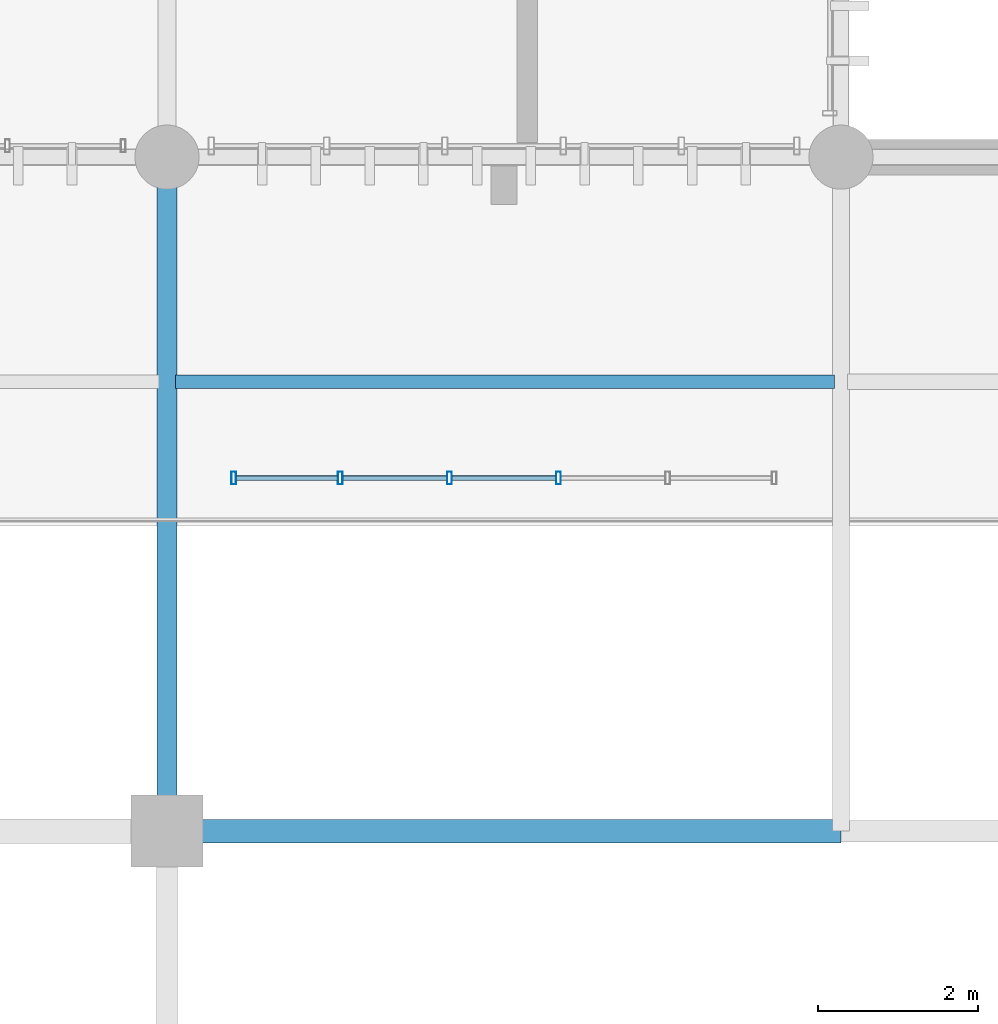
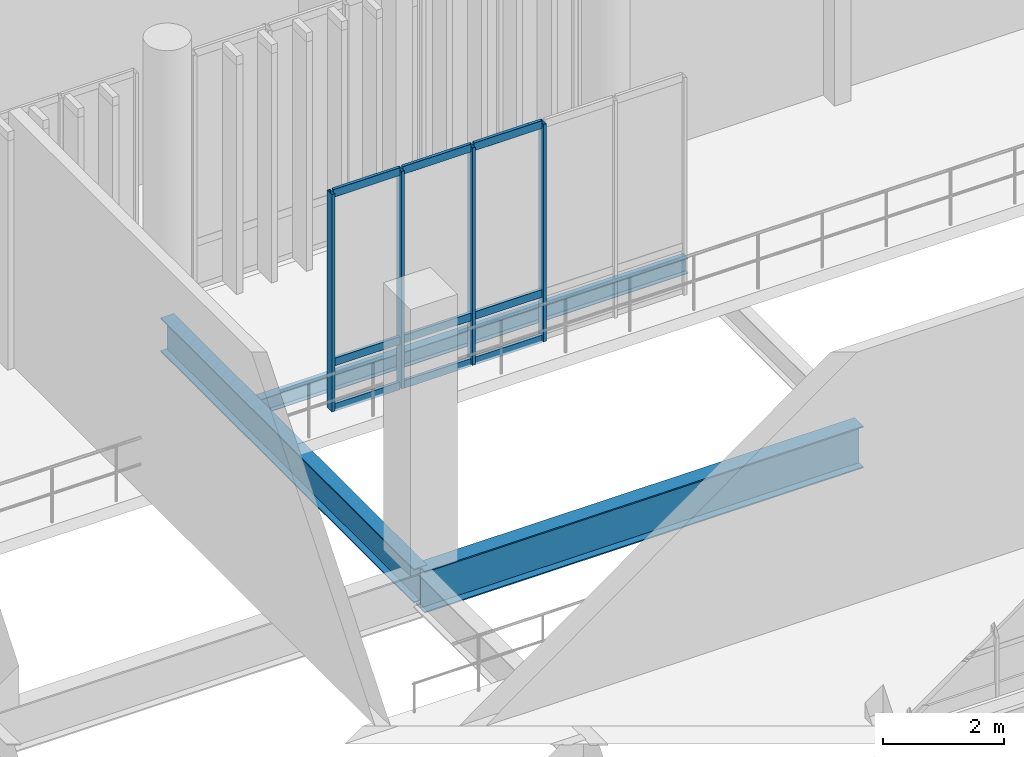
# One storey, part 52 of 128: 13 members, 3 beams, 1 element without a shape of its own.
"""IFC4 building model written with IfcOpenShell, lengths in metres."""

import ifcopenshell
import ifcopenshell.guid

model = None  # the IFC model being written
_history = None  # IfcOwnerHistory: only IFC2X3 demands one
_inside = {}  # id of a spatial element -> (the spatial element, [elements in it])
_under = {}  # id of a project, library or spatial element -> (it, [spatial elements below it])
_declared = {}  # id of a project -> (the project, [libraries it declares])
_typed = {}  # id of a type object -> (the type object, [elements of that type])
_made_of = {}  # id of a material, layer set ... -> (it, [elements and type objects made of it])


def new_model(schema):
    """Start an empty IFC model of exactly this schema.

    Asked for "IFC4X3", IfcOpenShell would pick the latest addendum, in which some entities
    have other attributes; the version numbers below select the first issue.
    IFC2X3 requires an IfcOwnerHistory on every rooted entity: one is made here for all.
    """
    global model, _history
    if schema == "IFC4X3":
        model = ifcopenshell.file(schema_version=(4, 3, 0, 0))
    else:
        model = ifcopenshell.file(schema=schema)
    _inside.clear()
    _under.clear()
    _declared.clear()
    _typed.clear()
    _made_of.clear()
    _history = None
    if model.schema == "IFC2X3":
        org = make("IfcOrganization", Name="unknown")
        user = make(
            "IfcPersonAndOrganization",
            ThePerson=make("IfcPerson", FamilyName="unknown"),
            TheOrganization=org,
        )
        app = make(
            "IfcApplication",
            ApplicationDeveloper=org,
            Version="unknown",
            ApplicationFullName="unknown",
            ApplicationIdentifier="unknown",
        )
        _history = make(
            "IfcOwnerHistory",
            OwningUser=user,
            OwningApplication=app,
            ChangeAction="ADDED",
            CreationDate=0,
        )
    return model


def make(cls, **values):
    """One entity of the class cls with the attributes given. An attribute that is None is left unset."""
    return model.create_entity(
        cls, **{name: value for name, value in values.items() if value is not None}
    )


def rooted(cls, **values):
    """An entity with a GlobalId (a new one), such as an element, a storey or a relation."""
    return make(cls, GlobalId=ifcopenshell.guid.new(), OwnerHistory=_history, **values)


def si_unit(unit_type, name, prefix=None):
    """IfcSIUnit, for example si_unit("LENGTHUNIT", "METRE", prefix="MILLI")."""
    return make("IfcSIUnit", UnitType=unit_type, Prefix=prefix, Name=name)


def assignment(units):
    """IfcUnitAssignment: the units of a project."""
    return None if units is None else make("IfcUnitAssignment", Units=units)


def point(xyz):
    """IfcCartesianPoint."""
    return None if xyz is None else make("IfcCartesianPoint", Coordinates=xyz)


def direction(xyz):
    """IfcDirection."""
    return None if xyz is None else make("IfcDirection", DirectionRatios=xyz)


def frame(location, z_axis=None, x_axis=None):
    """IfcAxis2Placement3D, a coordinate frame: its origin and axes. An axis left out is left unset."""
    return make(
        "IfcAxis2Placement3D",
        Location=point(location),
        Axis=direction(z_axis),
        RefDirection=direction(x_axis),
    )


def frame_2d(location, x_axis=None):
    """IfcAxis2Placement2D, a coordinate frame in the plane: its origin and x axis."""
    return make(
        "IfcAxis2Placement2D", Location=point(location), RefDirection=direction(x_axis)
    )


def origin_with_axes():
    """The frame at (0, 0, 0) with the z axis (0, 0, 1) and the x axis (1, 0, 0) written out."""
    return frame((0.0, 0.0, 0.0), z_axis=(0.0, 0.0, 1.0), x_axis=(1.0, 0.0, 0.0))


def origin_2d_with_axis():
    """The frame at (0, 0) in the plane with the x axis (1, 0) written out."""
    return frame_2d((0.0, 0.0), x_axis=(1.0, 0.0))


def place(relative_to, where):
    """IfcLocalPlacement: puts the frame where relative to a parent placement (None: the world)."""
    return make(
        "IfcLocalPlacement", PlacementRelTo=relative_to, RelativePlacement=where
    )


def context(
    kind, dimensions, precision=None, world=None, true_north=None, identifier=None
):
    """IfcGeometricRepresentationContext, for example the 3D "Model" context."""
    return make(
        "IfcGeometricRepresentationContext",
        ContextIdentifier=identifier,
        ContextType=kind,
        CoordinateSpaceDimension=dimensions,
        Precision=precision,
        WorldCoordinateSystem=world,
        TrueNorth=true_north,
    )


def subcontext(parent, identifier, kind, view, scale=None):
    """IfcGeometricRepresentationSubContext, for example "Body" below "Model"."""
    return make(
        "IfcGeometricRepresentationSubContext",
        ContextIdentifier=identifier,
        ContextType=kind,
        ParentContext=parent,
        TargetScale=scale,
        TargetView=view,
    )


def project(units=None, contexts=None):
    """IfcProject with its units and contexts."""
    return rooted(
        "IfcProject",
        Name="project",
        RepresentationContexts=contexts,
        UnitsInContext=assignment(units),
    )


def spatial(cls, under=None, at=None, **own):
    """A site, building, storey or space (cls), placed at a placement, below another one or the project."""
    s = rooted(cls, ObjectPlacement=at, **own)
    if under is not None:
        _under.setdefault(under.id(), (under, []))[1].append(s)
    return s


def profile(cls, at=None, kind="AREA", **sizes):
    """A parametric profile (cls). Its sizes go by their IFC names, for example OverallWidth=200.0."""
    return make(cls, ProfileType=kind, Position=at, **sizes)


def hollow_rectangle(**sizes):
    """IfcRectangleHollowProfileDef."""
    return profile("IfcRectangleHollowProfileDef", **sizes)


def i_section(**sizes):
    """IfcIShapeProfileDef."""
    return profile("IfcIShapeProfileDef", **sizes)


def extrude(swept, where, along, depth):
    """IfcExtrudedAreaSolid: the profile swept, set in the frame where, extruded along a direction by depth."""
    return make(
        "IfcExtrudedAreaSolid",
        SweptArea=swept,
        Position=where,
        ExtrudedDirection=direction(along),
        Depth=depth,
    )


def shape(context_of_items, identifier, shape_type, items):
    """IfcShapeRepresentation: the items that make up one representation, for example the "Body"."""
    return make(
        "IfcShapeRepresentation",
        ContextOfItems=context_of_items,
        RepresentationIdentifier=identifier,
        RepresentationType=shape_type,
        Items=items,
    )


def material(Name=None, Category=None):
    """IfcMaterial."""
    return make("IfcMaterial", Name=Name, Category=Category)


def material_profile(
    of_material, cross_section, Name=None, Category=None, Priority=None
):
    """IfcMaterialProfile: a cross section and its material."""
    return make(
        "IfcMaterialProfile",
        Name=Name,
        Material=of_material,
        Profile=cross_section,
        Priority=Priority,
        Category=Category,
    )


def profile_set(profiles, Name=None, composite=None):
    """IfcMaterialProfileSet."""
    return make(
        "IfcMaterialProfileSet",
        Name=Name,
        MaterialProfiles=profiles,
        CompositeProfile=composite,
    )


def made_of(thing, what):
    """Note that an element or type object is made of a material, layer set ...; save() writes the relation."""
    if what is not None:
        _made_of.setdefault(what.id(), (what, []))[1].append(thing)
    return thing


def type_object(cls, material=None, **own):
    """A type object (cls), such as IfcWallType, which elements share."""
    return made_of(rooted(cls, **own), material)


def element(
    cls,
    number,
    at=None,
    inside=None,
    cuts=None,
    type_object=None,
    material=None,
    context=None,
    identifier="Body",
    shape_type=None,
    held_by="IfcProductDefinitionShape",
    body=None,
    shapes=None,
    **own,
):
    """One element of the class cls, such as IfcWall. Its Tag is "e" and its number.

    at: its placement. inside: the storey or other place that contains it. cuts: it is an
    opening in that element (IfcRelVoidsElement). A single representation is given by context,
    identifier, shape_type and body (its items); several are given by shapes. held_by: the class
    of the entity that holds the representations. save() writes the other relations.
    """
    e = rooted(cls, Tag="e%d" % number, ObjectPlacement=at, **own)
    if body is not None:
        shapes = [shape(context, identifier, shape_type, body)]
    if shapes is not None:
        e.Representation = make(held_by, Representations=shapes)
    if inside is not None:
        _inside.setdefault(inside.id(), (inside, []))[1].append(e)
    if cuts is not None:
        rooted(
            "IfcRelVoidsElement", RelatingBuildingElement=cuts, RelatedOpeningElement=e
        )
    if type_object is not None:
        _typed.setdefault(type_object.id(), (type_object, []))[1].append(e)
    return made_of(e, material)


def aggregate(whole, parts):
    """IfcRelAggregates: a whole, such as a stair, and the parts it consists of."""
    return rooted("IfcRelAggregates", RelatingObject=whole, RelatedObjects=parts)


def save(model, path):
    """Write the relations noted so far, then the file.

    IfcRelAggregates (storeys below a building ...), IfcRelContainedInSpatialStructure (elements
    in a storey), IfcRelDefinesByType, IfcRelAssociatesMaterial and IfcRelDeclares: one each for
    every whole, place, type object, material and project.
    """
    for whole, parts in _under.values():
        aggregate(whole, parts)
    for where, things in _inside.values():
        rooted(
            "IfcRelContainedInSpatialStructure",
            RelatedElements=things,
            RelatingStructure=where,
        )
    for kind, things in _typed.values():
        rooted("IfcRelDefinesByType", RelatedObjects=things, RelatingType=kind)
    for what, things in _made_of.values():
        rooted("IfcRelAssociatesMaterial", RelatedObjects=things, RelatingMaterial=what)
    for by, libraries in _declared.values():
        rooted("IfcRelDeclares", RelatingContext=by, RelatedDefinitions=libraries)
    model.write(path)


model = new_model("IFC4")

# Units and contexts
model_context = context("Model", 3, precision=1e-05, world=origin_with_axes(), true_north=direction((0.0, 1.0)))
body_context = subcontext(model_context, "Body", "Model", "MODEL_VIEW")
ifc_project = project(units=[si_unit("LENGTHUNIT", "METRE"), si_unit("AREAUNIT", "SQUARE_METRE"), si_unit("VOLUMEUNIT", "CUBIC_METRE"), si_unit("PLANEANGLEUNIT", "RADIAN"), si_unit("MASSUNIT", "GRAM", prefix="KILO"), si_unit("THERMODYNAMICTEMPERATUREUNIT", "KELVIN")], contexts=[model_context])

# Site, building, storey
site_placement = place(None, origin_with_axes())
site = spatial("IfcSite", under=ifc_project, at=site_placement, CompositionType="ELEMENT")
building_placement = place(site_placement, origin_with_axes())
building = spatial("IfcBuilding", under=site, at=building_placement, Name="Montbau Bow Law Courts", CompositionType="ELEMENT")
storey_placement = place(building_placement, frame((0.0, 0.0, 5.4), z_axis=(0.0, 0.0, 1.0), x_axis=(1.0, 0.0, 0.0)))
storey = spatial("IfcBuildingStorey", under=building, at=storey_placement, Name="L01", CompositionType="ELEMENT", Elevation=5.4)

# Beams
ifc_material_1 = material(Name="Steel CSA G40.21 Grade 350W (350 MPa)", Category="steel")
ifc_material_profile_1 = material_profile(ifc_material_1, i_section(OverallWidth=0.293, OverallDepth=0.846, WebThickness=0.0154, FlangeThickness=0.0244, at=origin_2d_with_axis()), Name="W840X210", Category="Main", Priority=0)
ifc_profile_set_1 = profile_set([ifc_material_profile_1], Name="Steel CSA G40.21 Grade 350W (350 MPa)")
beam_type_1 = type_object("IfcBeamType", Name="B-FLR-02", PredefinedType="BEAM", material=ifc_profile_set_1)
beam_1_placement = place(None, frame((88.8, 30.6, 4.737), z_axis=(1.0, 0.0, 0.0), x_axis=(0.0, 1.0, 0.0)))
element("IfcBeam", 1, at=beam_1_placement, inside=storey, type_object=beam_type_1, Name="BM-L01-S1075:bm2_1078", PredefinedType="BEAM", context=body_context, shape_type="SweptSolid", body=[
    extrude(i_section(OverallWidth=0.293, OverallDepth=0.846, WebThickness=0.0154, FlangeThickness=0.0244, at=origin_2d_with_axis()), origin_with_axes(), (0.0, 0.0, 1.0), 8.4),
])
ifc_material_profile_2 = material_profile(ifc_material_1, i_section(OverallWidth=0.254, OverallDepth=0.688, WebThickness=0.0131, FlangeThickness=0.0211, at=origin_2d_with_axis()), Name="W690X152", Category="Main", Priority=0)
ifc_profile_set_2 = profile_set([ifc_material_profile_2], Name="Steel CSA G40.21 Grade 350W (350 MPa)")
beam_type_2 = type_object("IfcBeamType", Name="B-FLR-04", PredefinedType="BEAM", material=ifc_profile_set_2)
beam_2_placement = place(None, frame((88.8, 30.6, 4.816), z_axis=(0.0, 1.0, 0.0), x_axis=(-1.0, 0.0, 0.0)))
element("IfcBeam", 2, at=beam_2_placement, inside=storey, type_object=beam_type_2, Name="BM-L01-S1091:bm2_1094", PredefinedType="BEAM", context=body_context, shape_type="SweptSolid", body=[
    extrude(i_section(OverallWidth=0.254, OverallDepth=0.688, WebThickness=0.0131, FlangeThickness=0.0211, at=origin_2d_with_axis()), origin_with_axes(), (0.0, 0.0, 1.0), 8.4),
])
ifc_material_profile_3 = material_profile(ifc_material_1, i_section(OverallWidth=0.166, OverallDepth=0.313, WebThickness=0.0066, FlangeThickness=0.0112, at=origin_2d_with_axis()), Name="W310X45", Category="Main", Priority=0)
ifc_profile_set_3 = profile_set([ifc_material_profile_3], Name="Steel CSA G40.21 Grade 350W (350 MPa)")
beam_type_3 = type_object("IfcBeamType", Name="B-JST-04", PredefinedType="JOIST", material=ifc_profile_set_3)
beam_3_placement = place(None, frame((88.903, 36.2, 5.003), z_axis=(1.0, 0.0, 0.0), x_axis=(0.0, 1.0, 0.0)))
element("IfcBeam", 3, at=beam_3_placement, inside=storey, type_object=beam_type_3, Name="JST-L01-S0555:jst2_0555", PredefinedType="JOIST", context=body_context, shape_type="SweptSolid", body=[
    extrude(i_section(OverallWidth=0.166, OverallDepth=0.313, WebThickness=0.0066, FlangeThickness=0.0112, at=origin_2d_with_axis()), origin_with_axes(), (0.0, 0.0, 1.0), 8.216),
])

# Curtain wall, members
ifc_material_2 = material(Name="Thermally Broken Extruded Aluminium AA 6063-T6", Category="aluminium")
curtain_wall_type = type_object("IfcCurtainWallType", Name="CW-INT-01", PredefinedType="NOTDEFINED", material=ifc_material_2)
curtain_wall_placement = place(None, frame((89.6, 35.0, 5.4), z_axis=(0.0, 0.0, 1.0), x_axis=(1.0, 0.0, 0.0)))
curtain_wall = element("IfcCurtainWall", 4, at=curtain_wall_placement, inside=storey, type_object=curtain_wall_type, Name="CW-L01-416:cw_0416", PredefinedType="NOTDEFINED")
ifc_material_profile_4 = material_profile(ifc_material_2, hollow_rectangle(XDim=0.06, YDim=0.16, WallThickness=0.004, InnerFilletRadius=0.008, OuterFilletRadius=0.004, at=origin_2d_with_axis()), Name="CWM-160X60", Category="Main", Priority=0)
ifc_profile_set_4 = profile_set([ifc_material_profile_4], Name="Thermally Broken Extruded Aluminium AA 6063-T6")
member_type_1 = type_object("IfcMemberType", Name="M-MUL-03", PredefinedType="MULLION", material=ifc_profile_set_4)
member_1_placement = place(None, frame((89.63, 35.0, 5.4), z_axis=(0.0, 0.0, 1.0), x_axis=(1.0, 0.0, 0.0)))
member_1 = element("IfcMember", 5, at=member_1_placement, type_object=member_type_1, Name="CW-L01-416-M01:cw_0416_M01", PredefinedType="MULLION", context=body_context, shape_type="SweptSolid", body=[
    extrude(hollow_rectangle(XDim=0.06, YDim=0.16, WallThickness=0.004, InnerFilletRadius=0.008, OuterFilletRadius=0.004, at=origin_2d_with_axis()), origin_with_axes(), (0.0, 0.0, 1.0), 4.4),
])
member_2_placement = place(None, frame((90.96, 35.0, 5.4), z_axis=(0.0, 0.0, 1.0), x_axis=(1.0, 0.0, 0.0)))
member_2 = element("IfcMember", 6, at=member_2_placement, type_object=member_type_1, Name="CW-L01-416-M02:cw_0416_M02", PredefinedType="MULLION", context=body_context, shape_type="SweptSolid", body=[
    extrude(hollow_rectangle(XDim=0.06, YDim=0.16, WallThickness=0.004, InnerFilletRadius=0.008, OuterFilletRadius=0.004, at=origin_2d_with_axis()), origin_with_axes(), (0.0, 0.0, 1.0), 4.4),
])
member_3_placement = place(None, frame((92.32, 35.0, 5.4), z_axis=(0.0, 0.0, 1.0), x_axis=(1.0, 0.0, 0.0)))
member_3 = element("IfcMember", 7, at=member_3_placement, type_object=member_type_1, Name="CW-L01-416-M03:cw_0416_M03", PredefinedType="MULLION", context=body_context, shape_type="SweptSolid", body=[
    extrude(hollow_rectangle(XDim=0.06, YDim=0.16, WallThickness=0.004, InnerFilletRadius=0.008, OuterFilletRadius=0.004, at=origin_2d_with_axis()), origin_with_axes(), (0.0, 0.0, 1.0), 4.4),
])
member_4_placement = place(None, frame((93.68, 35.0, 5.4), z_axis=(0.0, 0.0, 1.0), x_axis=(1.0, 0.0, 0.0)))
member_4 = element("IfcMember", 8, at=member_4_placement, type_object=member_type_1, Name="CW-L01-416-M04:cw_0416_M04", PredefinedType="MULLION", context=body_context, shape_type="SweptSolid", body=[
    extrude(hollow_rectangle(XDim=0.06, YDim=0.16, WallThickness=0.004, InnerFilletRadius=0.008, OuterFilletRadius=0.004, at=origin_2d_with_axis()), origin_with_axes(), (0.0, 0.0, 1.0), 4.4),
])
ifc_material_profile_5 = material_profile(ifc_material_2, hollow_rectangle(XDim=0.06, YDim=0.16, WallThickness=0.004, InnerFilletRadius=0.008, OuterFilletRadius=0.004, at=origin_2d_with_axis()), Name="CWT-160X60", Category="Main", Priority=0)
ifc_profile_set_5 = profile_set([ifc_material_profile_5], Name="Thermally Broken Extruded Aluminium AA 6063-T6")
member_type_2 = type_object("IfcMemberType", Name="M-TRN-01", PredefinedType="USERDEFINED", material=ifc_profile_set_5)
member_5_placement = place(None, frame((89.662, 35.0, 5.43), z_axis=(1.0, 0.0, 0.0), x_axis=(0.0, 1.0, 0.0)))
member_5 = element("IfcMember", 9, at=member_5_placement, type_object=member_type_2, Name="CW-L01-416-T01-1:cw_0416_T01_1", ObjectType="TRANSOM", PredefinedType="USERDEFINED", context=body_context, shape_type="SweptSolid", body=[
    extrude(hollow_rectangle(XDim=0.06, YDim=0.16, WallThickness=0.004, InnerFilletRadius=0.008, OuterFilletRadius=0.004, at=origin_2d_with_axis()), origin_with_axes(), (0.0, 0.0, 1.0), 1.266),
])
member_6_placement = place(None, frame((89.662, 35.0, 6.35), z_axis=(1.0, 0.0, 0.0), x_axis=(0.0, 1.0, 0.0)))
member_6 = element("IfcMember", 10, at=member_6_placement, type_object=member_type_2, Name="CW-L01-416-T01-2:cw_0416_T01_2", ObjectType="TRANSOM", PredefinedType="USERDEFINED", context=body_context, shape_type="SweptSolid", body=[
    extrude(hollow_rectangle(XDim=0.06, YDim=0.16, WallThickness=0.004, InnerFilletRadius=0.008, OuterFilletRadius=0.004, at=origin_2d_with_axis()), origin_with_axes(), (0.0, 0.0, 1.0), 1.266),
])
member_7_placement = place(None, frame((89.662, 35.0, 9.77), z_axis=(1.0, 0.0, 0.0), x_axis=(0.0, 1.0, 0.0)))
member_7 = element("IfcMember", 11, at=member_7_placement, type_object=member_type_2, Name="CW-L01-416-T01-3:cw_0416_T01_3", ObjectType="TRANSOM", PredefinedType="USERDEFINED", context=body_context, shape_type="SweptSolid", body=[
    extrude(hollow_rectangle(XDim=0.06, YDim=0.16, WallThickness=0.004, InnerFilletRadius=0.008, OuterFilletRadius=0.004, at=origin_2d_with_axis()), origin_with_axes(), (0.0, 0.0, 1.0), 1.266),
])
member_8_placement = place(None, frame((90.992, 35.0, 5.43), z_axis=(1.0, 0.0, 0.0), x_axis=(0.0, 1.0, 0.0)))
member_8 = element("IfcMember", 12, at=member_8_placement, type_object=member_type_2, Name="CW-L01-416-T02-1:cw_0416_T02_1", ObjectType="TRANSOM", PredefinedType="USERDEFINED", context=body_context, shape_type="SweptSolid", body=[
    extrude(hollow_rectangle(XDim=0.06, YDim=0.16, WallThickness=0.004, InnerFilletRadius=0.008, OuterFilletRadius=0.004, at=origin_2d_with_axis()), origin_with_axes(), (0.0, 0.0, 1.0), 1.296),
])
member_9_placement = place(None, frame((90.992, 35.0, 6.35), z_axis=(1.0, 0.0, 0.0), x_axis=(0.0, 1.0, 0.0)))
member_9 = element("IfcMember", 13, at=member_9_placement, type_object=member_type_2, Name="CW-L01-416-T02-2:cw_0416_T02_2", ObjectType="TRANSOM", PredefinedType="USERDEFINED", context=body_context, shape_type="SweptSolid", body=[
    extrude(hollow_rectangle(XDim=0.06, YDim=0.16, WallThickness=0.004, InnerFilletRadius=0.008, OuterFilletRadius=0.004, at=origin_2d_with_axis()), origin_with_axes(), (0.0, 0.0, 1.0), 1.296),
])
member_10_placement = place(None, frame((90.992, 35.0, 9.77), z_axis=(1.0, 0.0, 0.0), x_axis=(0.0, 1.0, 0.0)))
member_10 = element("IfcMember", 14, at=member_10_placement, type_object=member_type_2, Name="CW-L01-416-T02-3:cw_0416_T02_3", ObjectType="TRANSOM", PredefinedType="USERDEFINED", context=body_context, shape_type="SweptSolid", body=[
    extrude(hollow_rectangle(XDim=0.06, YDim=0.16, WallThickness=0.004, InnerFilletRadius=0.008, OuterFilletRadius=0.004, at=origin_2d_with_axis()), origin_with_axes(), (0.0, 0.0, 1.0), 1.296),
])
member_11_placement = place(None, frame((92.352, 35.0, 5.43), z_axis=(1.0, 0.0, 0.0), x_axis=(0.0, 1.0, 0.0)))
member_11 = element("IfcMember", 15, at=member_11_placement, type_object=member_type_2, Name="CW-L01-416-T03-1:cw_0416_T03_1", ObjectType="TRANSOM", PredefinedType="USERDEFINED", context=body_context, shape_type="SweptSolid", body=[
    extrude(hollow_rectangle(XDim=0.06, YDim=0.16, WallThickness=0.004, InnerFilletRadius=0.008, OuterFilletRadius=0.004, at=origin_2d_with_axis()), origin_with_axes(), (0.0, 0.0, 1.0), 1.296),
])
member_12_placement = place(None, frame((92.352, 35.0, 6.35), z_axis=(1.0, 0.0, 0.0), x_axis=(0.0, 1.0, 0.0)))
member_12 = element("IfcMember", 16, at=member_12_placement, type_object=member_type_2, Name="CW-L01-416-T03-2:cw_0416_T03_2", ObjectType="TRANSOM", PredefinedType="USERDEFINED", context=body_context, shape_type="SweptSolid", body=[
    extrude(hollow_rectangle(XDim=0.06, YDim=0.16, WallThickness=0.004, InnerFilletRadius=0.008, OuterFilletRadius=0.004, at=origin_2d_with_axis()), origin_with_axes(), (0.0, 0.0, 1.0), 1.296),
])
member_13_placement = place(None, frame((92.352, 35.0, 9.77), z_axis=(1.0, 0.0, 0.0), x_axis=(0.0, 1.0, 0.0)))
member_13 = element("IfcMember", 17, at=member_13_placement, type_object=member_type_2, Name="CW-L01-416-T03-3:cw_0416_T03_3", ObjectType="TRANSOM", PredefinedType="USERDEFINED", context=body_context, shape_type="SweptSolid", body=[
    extrude(hollow_rectangle(XDim=0.06, YDim=0.16, WallThickness=0.004, InnerFilletRadius=0.008, OuterFilletRadius=0.004, at=origin_2d_with_axis()), origin_with_axes(), (0.0, 0.0, 1.0), 1.296),
])
aggregate(curtain_wall, [member_1, member_2, member_3, member_4, member_5, member_6, member_7, member_8, member_9, member_10, member_11, member_12, member_13])

save(model, "model.ifc")
